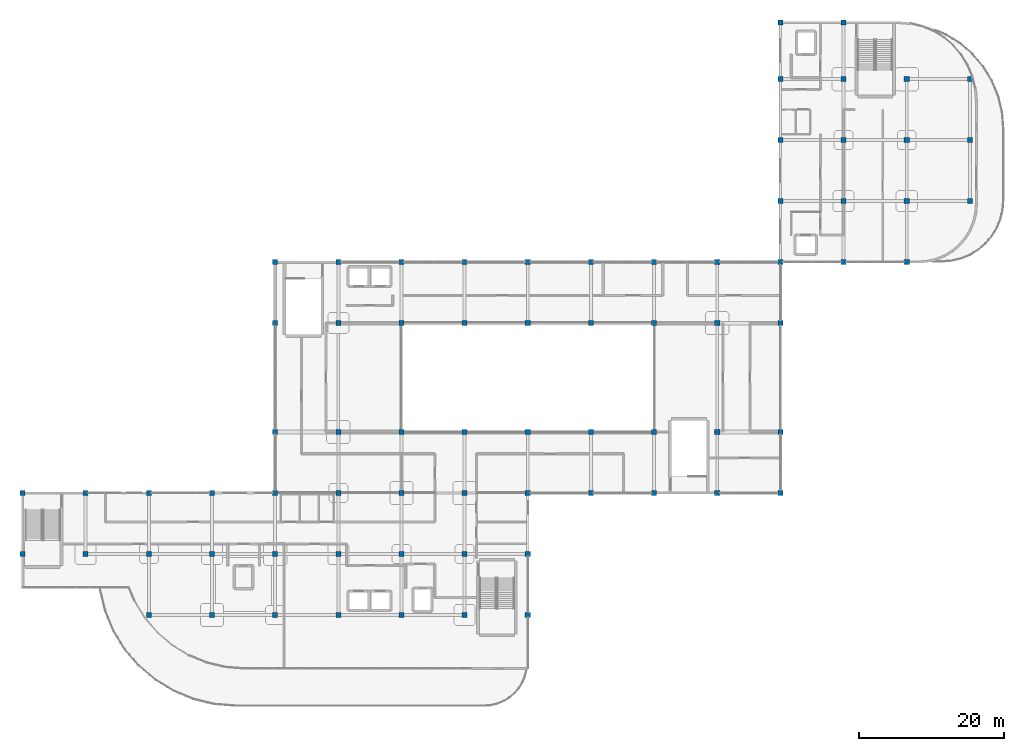
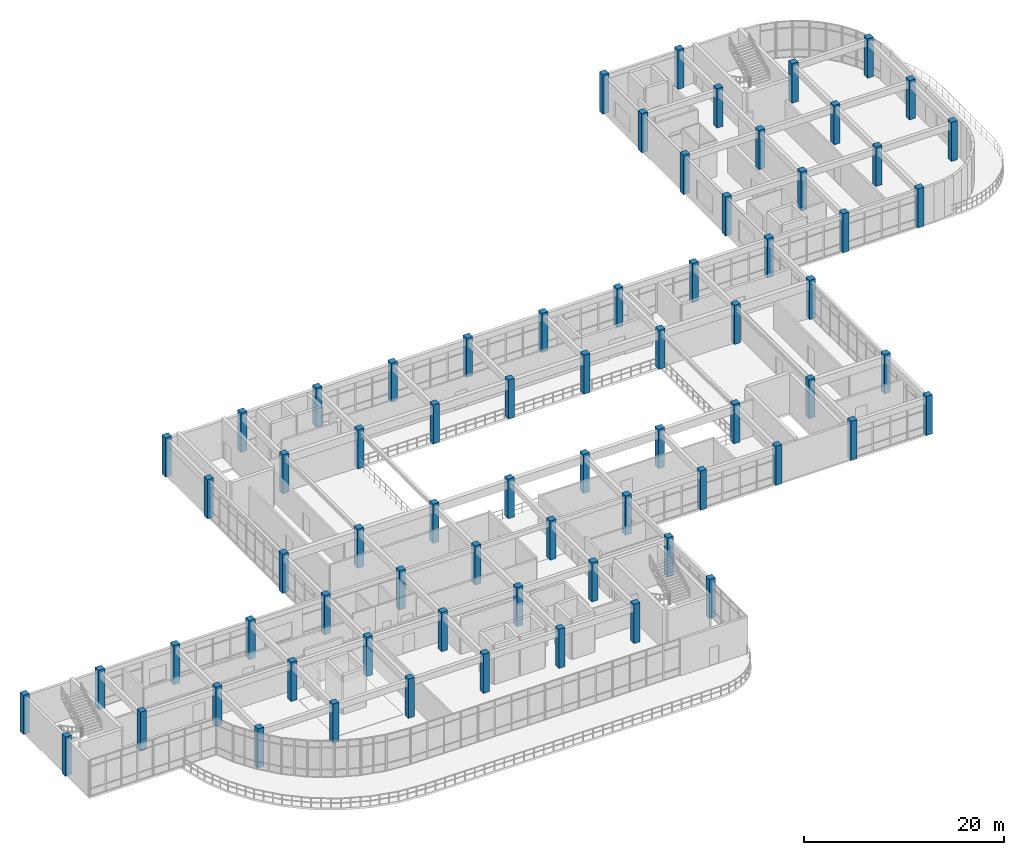
# One storey, part 1 of 64: 72 columns.
"""IFC4 building model written with IfcOpenShell, lengths in metres."""

from ifc_helpers import new_model, si_unit, derived_unit, direction, frame, origin, origin_2d, place, context, subcontext, project, spatial, rectangle, extrude, material, material_profile, profile_set, type_object, element, save


model = new_model("IFC4")

# Units and contexts
model_context = context("Model", 3, precision=1e-05, world=origin(), true_north=direction((0.0, 1.0)))
body_context = subcontext(model_context, "Body", "Model", "MODEL_VIEW")
ifc_project = project(units=[si_unit("LENGTHUNIT", "METRE"), si_unit("AREAUNIT", "SQUARE_METRE"), si_unit("VOLUMEUNIT", "CUBIC_METRE"), si_unit("PLANEANGLEUNIT", "RADIAN"), si_unit("MASSUNIT", "GRAM", prefix="KILO"), derived_unit("THERMALTRANSMITTANCEUNIT", [(si_unit("MASSUNIT", "GRAM", prefix="KILO"), 1), (si_unit("TIMEUNIT", "SECOND"), -3), (si_unit("THERMODYNAMICTEMPERATUREUNIT", "KELVIN"), -1)])], contexts=[model_context])

# Site, building, storey
site_placement = place(None, origin())
site = spatial("IfcSite", under=ifc_project, at=site_placement, CompositionType="ELEMENT")
building_placement = place(site_placement, origin())
building = spatial("IfcBuilding", under=site, at=building_placement, Name="Qinzheling Arcade Emporium", CompositionType="ELEMENT")
storey_placement = place(building_placement, frame((0.0, 0.0, 31.5)))
storey = spatial("IfcBuildingStorey", under=building, at=storey_placement, Name="L07", CompositionType="ELEMENT", Elevation=31.5)

# Columns
ifc_material = material(Name="Concrete C40", Category="concrete")
ifc_material_profile = material_profile(ifc_material, rectangle(XDim=0.699951171875, YDim=0.699951171875, at=origin_2d()), Name="RC 700x700", Category="concrete")
ifc_profile_set = profile_set([ifc_material_profile], Name="Concrete C40")
column_type = type_object("IfcColumnType", Name="RC Column 700x700 C40", PredefinedType="COLUMN", material=ifc_profile_set)
for number, where, z_axis, x_axis, name in (
    (1, (0.0, 33.60009765625, 0.0), (0.0, 0.0, 1.0), (1.0, 0.0, 0.0), "Column COL-L07-1-E"),
    (2, (0.0, 42.0, 0.0), (0.0, 0.0, 1.0), (1.0, 0.0, 0.0), "Column COL-L07-1-F"),
    (3, (8.699951171875, 33.60009765625, 0.0), (0.0, 0.0, 1.0), (1.0, 0.0, 0.0), "Column COL-L07-2-E"),
    (4, (8.699951171875, 42.0, 0.0), (0.0, 0.0, 1.0), (1.0, 0.0, 0.0), "Column COL-L07-2-F"),
    (5, (17.39990234375, 25.199951171875, 0.0), (0.0, 0.0, 1.0), (1.0, 0.0, 0.0), "Column COL-L07-3-D"),
    (6, (17.39990234375, 33.60009765625, 0.0), (0.0, 0.0, 1.0), (1.0, 0.0, 0.0), "Column COL-L07-3-E"),
    (7, (17.39990234375, 42.0, 0.0), (0.0, 0.0, 1.0), (1.0, 0.0, 0.0), "Column COL-L07-3-F"),
    (8, (26.10009765625, 25.199951171875, 0.0), (0.0, 0.0, 1.0), (1.0, 0.0, 0.0), "Column COL-L07-4-D"),
    (9, (26.10009765625, 33.60009765625, 0.0), (0.0, 0.0, 1.0), (1.0, 0.0, 0.0), "Column COL-L07-4-E"),
    (10, (26.10009765625, 42.0, 0.0), (0.0, 0.0, 1.0), (1.0, 0.0, 0.0), "Column COL-L07-4-F"),
    (11, (34.800048828125, 25.199951171875, 0.0), (0.0, 0.0, 1.0), (1.0, 0.0, 0.0), "Column COL-L07-5-D"),
    (12, (34.800048828125, 33.60009765625, 0.0), (0.0, 0.0, 1.0), (1.0, 0.0, 0.0), "Column COL-L07-5-E"),
    (13, (34.800048828125, 42.0, 0.0), (0.0, 0.0, 1.0), (1.0, 0.0, 0.0), "Column COL-L07-5-F"),
    (14, (34.800048828125, 50.39990234375, 0.0), (0.0, 0.0, 1.0), (1.0, 0.0, 0.0), "Column COL-L07-5-G"),
    (15, (34.800048828125, 65.39990234375, 0.0), (0.0, 0.0, 1.0), (1.0, 0.0, 0.0), "Column COL-L07-5-H"),
    (16, (34.800048828125, 73.800048828125, 0.0), (0.0, 0.0, 1.0), (1.0, 0.0, 0.0), "Column COL-L07-5-J"),
    (17, (43.5, 25.199951171875, 0.0), (0.0, 0.0, 1.0), (1.0, 0.0, 0.0), "Column COL-L07-6-D"),
    (18, (43.5, 33.60009765625, 0.0), (0.0, 0.0, 1.0), (1.0, 0.0, 0.0), "Column COL-L07-6-E"),
    (19, (43.5, 42.0, 0.0), (0.0, 0.0, 1.0), (1.0, 0.0, 0.0), "Column COL-L07-6-F"),
    (20, (43.5, 50.39990234375, 0.0), (0.0, 0.0, 1.0), (1.0, 0.0, 0.0), "Column COL-L07-6-G"),
    (21, (43.5, 65.39990234375, 0.0), (0.0, 0.0, 1.0), (1.0, 0.0, 0.0), "Column COL-L07-6-H"),
    (22, (43.5, 73.800048828125, 0.0), (0.0, 0.0, 1.0), (1.0, 0.0, 0.0), "Column COL-L07-6-J"),
    (23, (52.199951171875, 25.199951171875, 0.0), (0.0, 0.0, 1.0), (1.0, 0.0, 0.0), "Column COL-L07-7-D"),
    (24, (52.199951171875, 33.60009765625, 0.0), (0.0, 0.0, 1.0), (1.0, 0.0, 0.0), "Column COL-L07-7-E"),
    (25, (52.199951171875, 42.0, 0.0), (0.0, 0.0, 1.0), (1.0, 0.0, 0.0), "Column COL-L07-7-F"),
    (26, (52.199951171875, 50.39990234375, 0.0), (0.0, 0.0, 1.0), (1.0, 0.0, 0.0), "Column COL-L07-7-G"),
    (27, (52.199951171875, 65.39990234375, 0.0), (0.0, 0.0, 1.0), (1.0, 0.0, 0.0), "Column COL-L07-7-H"),
    (28, (52.199951171875, 73.800048828125, 0.0), (0.0, 0.0, 1.0), (1.0, 0.0, 0.0), "Column COL-L07-7-J"),
    (29, (60.89990234375, 25.199951171875, 0.0), (0.0, 0.0, 1.0), (1.0, 0.0, 0.0), "Column COL-L07-8-D"),
    (30, (60.89990234375, 33.60009765625, 0.0), (0.0, 0.0, 1.0), (1.0, 0.0, 0.0), "Column COL-L07-8-E"),
    (31, (60.89990234375, 42.0, 0.0), (0.0, 0.0, 1.0), (1.0, 0.0, 0.0), "Column COL-L07-8-F"),
    (32, (60.89990234375, 50.39990234375, 0.0), (0.0, 0.0, 1.0), (1.0, 0.0, 0.0), "Column COL-L07-8-G"),
    (33, (60.89990234375, 65.39990234375, 0.0), (0.0, 0.0, 1.0), (1.0, 0.0, 0.0), "Column COL-L07-8-H"),
    (34, (60.89990234375, 73.800048828125, 0.0), (0.0, 0.0, 1.0), (1.0, 0.0, 0.0), "Column COL-L07-8-J"),
    (35, (69.60009765625, 25.199951171875, 0.0), (0.0, 0.0, 1.0), (1.0, 0.0, 0.0), "Column COL-L07-9-D"),
    (36, (69.60009765625, 33.60009765625, 0.0), (0.0, 0.0, 1.0), (1.0, 0.0, 0.0), "Column COL-L07-9-E"),
    (37, (69.60009765625, 42.0, 0.0), (0.0, 0.0, 1.0), (1.0, 0.0, 0.0), "Column COL-L07-9-F"),
    (38, (69.60009765625, 50.39990234375, 0.0), (0.0, 0.0, 1.0), (1.0, 0.0, 0.0), "Column COL-L07-9-G"),
    (39, (69.60009765625, 65.39990234375, 0.0), (0.0, 0.0, 1.0), (1.0, 0.0, 0.0), "Column COL-L07-9-H"),
    (40, (69.60009765625, 73.800048828125, 0.0), (0.0, 0.0, 1.0), (1.0, 0.0, 0.0), "Column COL-L07-9-J"),
    (41, (78.300048828125, 42.0, 0.0), (0.0, 0.0, 1.0), (1.0, 0.0, 0.0), "Column COL-L07-10-F"),
    (42, (78.300048828125, 50.39990234375, 0.0), (0.0, 0.0, 1.0), (1.0, 0.0, 0.0), "Column COL-L07-10-G"),
    (43, (78.300048828125, 65.39990234375, 0.0), (0.0, 0.0, 1.0), (1.0, 0.0, 0.0), "Column COL-L07-10-H"),
    (44, (78.300048828125, 73.800048828125, 0.0), (0.0, 0.0, 1.0), (1.0, 0.0, 0.0), "Column COL-L07-10-J"),
    (45, (87.0, 42.0, 0.0), (0.0, 0.0, 1.0), (1.0, 0.0, 0.0), "Column COL-L07-11-F"),
    (46, (87.0, 50.39990234375, 0.0), (0.0, 0.0, 1.0), (1.0, 0.0, 0.0), "Column COL-L07-11-G"),
    (47, (87.0, 65.39990234375, 0.0), (0.0, 0.0, 1.0), (1.0, 0.0, 0.0), "Column COL-L07-11-H"),
    (48, (87.0, 73.800048828125, 0.0), (0.0, 0.0, 1.0), (1.0, 0.0, 0.0), "Column COL-L07-11-J"),
    (49, (95.699951171875, 42.0, 0.0), (0.0, 0.0, 1.0), (1.0, 0.0, 0.0), "Column COL-L07-12-F"),
    (50, (95.699951171875, 50.39990234375, 0.0), (0.0, 0.0, 1.0), (1.0, 0.0, 0.0), "Column COL-L07-12-G"),
    (51, (95.699951171875, 65.39990234375, 0.0), (0.0, 0.0, 1.0), (1.0, 0.0, 0.0), "Column COL-L07-12-H"),
    (52, (95.699951171875, 73.800048828125, 0.0), (0.0, 0.0, 1.0), (1.0, 0.0, 0.0), "Column COL-L07-12-J"),
    (53, (104.39990234375, 42.0, 0.0), (0.0, 0.0, 1.0), (1.0, 0.0, 0.0), "Column COL-L07-13-F"),
    (54, (104.39990234375, 50.39990234375, 0.0), (0.0, 0.0, 1.0), (1.0, 0.0, 0.0), "Column COL-L07-13-G"),
    (55, (104.39990234375, 65.39990234375, 0.0), (0.0, 0.0, 1.0), (1.0, 0.0, 0.0), "Column COL-L07-13-H"),
    (56, (104.39990234375, 73.800048828125, 0.0), (0.0, 0.0, 1.0), (1.0, 0.0, 0.0), "Column COL-L07-13-J"),
    (57, (104.39990234375, 82.199951171875, 0.0), (0.0, 0.0, 1.0), (1.0, 0.0, 0.0), "Column COL-L07-13-K"),
    (58, (104.39990234375, 90.60009765625, 0.0), (0.0, 0.0, 1.0), (1.0, 0.0, 0.0), "Column COL-L07-13-L"),
    (59, (104.39990234375, 99.0, 0.0), (0.0, 0.0, 1.0), (1.0, 0.0, 0.0), "Column COL-L07-13-M"),
    (60, (104.39990234375, 106.800048828125, 0.0), (0.0, 0.0, 1.0), (1.0, 0.0, 0.0), "Column COL-L07-13-N"),
    (61, (113.10009765625, 73.800048828125, 0.0), (0.0, 0.0, 1.0), (1.0, 0.0, 0.0), "Column COL-L07-14-J"),
    (62, (113.10009765625, 82.199951171875, 0.0), (0.0, 0.0, 1.0), (1.0, 0.0, 0.0), "Column COL-L07-14-K"),
    (63, (113.10009765625, 90.60009765625, 0.0), (0.0, 0.0, 1.0), (1.0, 0.0, 0.0), "Column COL-L07-14-L"),
    (64, (113.10009765625, 99.0, 0.0), (0.0, 0.0, 1.0), (1.0, 0.0, 0.0), "Column COL-L07-14-M"),
    (65, (113.10009765625, 106.800048828125, 0.0), (0.0, 0.0, 1.0), (1.0, 0.0, 0.0), "Column COL-L07-14-N"),
    (66, (121.800048828125, 73.800048828125, 0.0), (0.0, 0.0, 1.0), (1.0, 0.0, 0.0), "Column COL-L07-15-J"),
    (67, (121.800048828125, 82.199951171875, 0.0), (0.0, 0.0, 1.0), (1.0, 0.0, 0.0), "Column COL-L07-15-K"),
    (68, (121.800048828125, 90.60009765625, 0.0), (0.0, 0.0, 1.0), (1.0, 0.0, 0.0), "Column COL-L07-15-L"),
    (69, (121.800048828125, 99.0, 0.0), (0.0, 0.0, 1.0), (1.0, 0.0, 0.0), "Column COL-L07-15-M"),
    (70, (130.5, 82.199951171875, 0.0), (0.0, 0.0, 1.0), (1.0, 0.0, 0.0), "Column COL-L07-16-K"),
    (71, (130.5, 90.60009765625, 0.0), (0.0, 0.0, 1.0), (1.0, 0.0, 0.0), "Column COL-L07-16-L"),
    (72, (130.5, 99.0, 0.0), (0.0, 0.0, 1.0), (1.0, 0.0, 0.0), "Column COL-L07-16-M"),
):
    element("IfcColumn", number, at=place(storey_placement, frame(where, z_axis=z_axis, x_axis=x_axis)), inside=storey, type_object=column_type, Name=name, PredefinedType="COLUMN", context=body_context, shape_type="SweptSolid", body=[
        extrude(rectangle(XDim=0.699951171875, YDim=0.699951171875, at=origin_2d()), origin(), (0.0, 0.0, 1.0), 4.800048828125),
    ])

save(model, "model.ifc")
